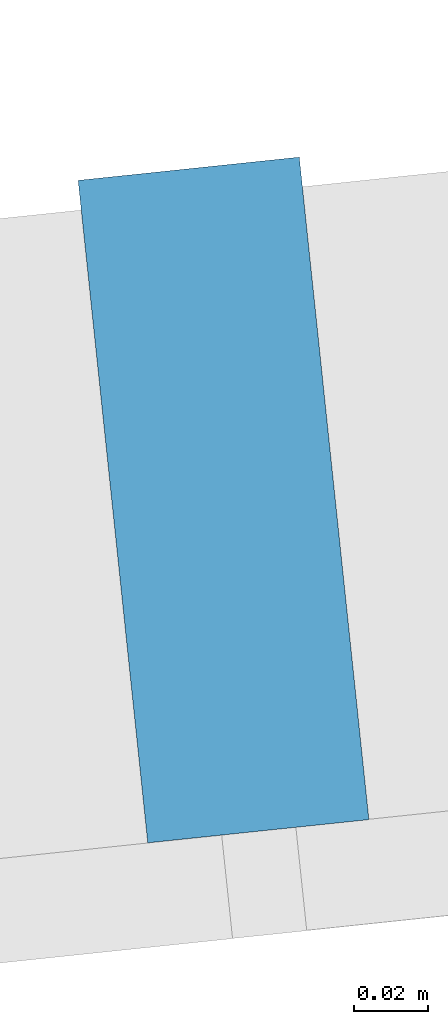
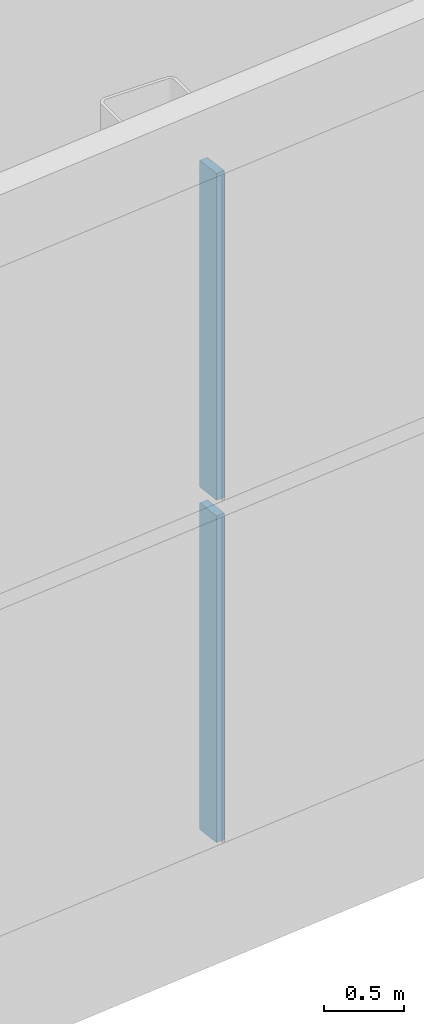
# One storey, part 7 of 35: 2 members, 1 element without a shape of its own.
"""IFC4 building model written with IfcOpenShell, lengths in metres."""

from ifc_helpers import new_model, si_unit, direction, frame, origin, origin_2d, place, context, subcontext, project, spatial, rectangle, extrude, material, layer, layer_set, material_profile, profile_set, type_object, element, aggregate, save


model = new_model("IFC4")

# Units and contexts
model_context = context("Model", 3, precision=1e-05, world=origin(), true_north=direction((0.0, 1.0)))
body_context = subcontext(model_context, "Body", "Model", "MODEL_VIEW")
ifc_project = project(units=[si_unit("LENGTHUNIT", "METRE"), si_unit("AREAUNIT", "SQUARE_METRE"), si_unit("VOLUMEUNIT", "CUBIC_METRE"), si_unit("PLANEANGLEUNIT", "RADIAN"), si_unit("MASSUNIT", "GRAM", prefix="KILO")], contexts=[model_context])

# Site, building, storey
site_placement = place(None, origin())
site = spatial("IfcSite", under=ifc_project, at=site_placement, CompositionType="ELEMENT")
building_placement = place(site_placement, origin())
building = spatial("IfcBuilding", under=site, at=building_placement, Name="Hakoniwa Tower and Hamabe Station Hall", CompositionType="ELEMENT")
storey_placement = place(building_placement, frame((0.0, 0.0, 270.60009765625)))
storey = spatial("IfcBuildingStorey", under=building, at=storey_placement, Name="L76", CompositionType="ELEMENT", Elevation=270.60009765625)

# Curtain wall, members
ifc_material_1 = material(Name="Dark low-e laminated glass", Category="glass")
ifc_layer = layer(ifc_material_1, 0.199951171875)
ifc_layer_set = layer_set([ifc_layer], Name="CW-1 UNITISED GUEST")
curtain_wall_type = type_object("IfcCurtainWallType", Name="CW-1 UNITISED GUEST", PredefinedType="NOTDEFINED", material=ifc_layer_set)
curtain_wall_placement = place(storey_placement, origin())
curtain_wall = element("IfcCurtainWall", 1, at=curtain_wall_placement, inside=storey, type_object=curtain_wall_type, Name="CW-1 curtain wall", PredefinedType="NOTDEFINED")
ifc_material_2 = material(Name="Aluminium 6063-T5 black anodised", Category="aluminium")
ifc_material_profile = material_profile(ifc_material_2, rectangle(XDim=0.06005859375, YDim=0.179931640625, at=origin_2d()), Name="CW-1 MULLION 60X180")
ifc_profile_set = profile_set([ifc_material_profile], Name="Aluminium 6063-T5 black anodised")
member_type = type_object("IfcMemberType", Name="CW-1 MULLION 60X180", PredefinedType="MULLION", material=ifc_profile_set)
member_1_placement = place(storey_placement, frame((18.50390625, -12.831787109375, 0.349853515625), z_axis=(0.0, 0.0, 1.0), x_axis=(0.994521895272, 0.104528464188, 0.0)))
member_1 = element("IfcMember", 2, at=member_1_placement, type_object=member_type, Name="CW-1 mullion", PredefinedType="MULLION", context=body_context, shape_type="SweptSolid", body=[
    extrude(rectangle(XDim=0.06005859375, YDim=0.179931640625, at=origin_2d()), origin(), (0.0, 0.0, 1.0), 2.489990234375),
])
member_2_placement = place(storey_placement, frame((18.50390625, -12.831787109375, 2.9599609375), z_axis=(0.0, 0.0, 1.0), x_axis=(0.994521895272, 0.104528464188, 0.0)))
member_2 = element("IfcMember", 3, at=member_2_placement, type_object=member_type, Name="CW-1 mullion", PredefinedType="MULLION", context=body_context, shape_type="SweptSolid", body=[
    extrude(rectangle(XDim=0.06005859375, YDim=0.179931640625, at=origin_2d()), origin(), (0.0, 0.0, 1.0), 2.489990234375),
])
aggregate(curtain_wall, [member_1, member_2])

save(model, "model.ifc")
